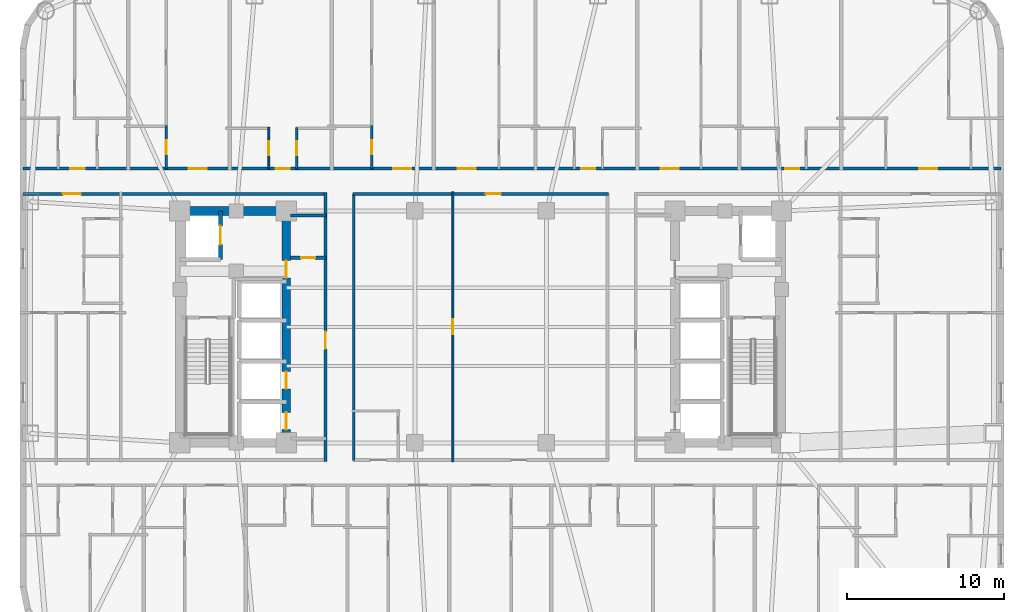
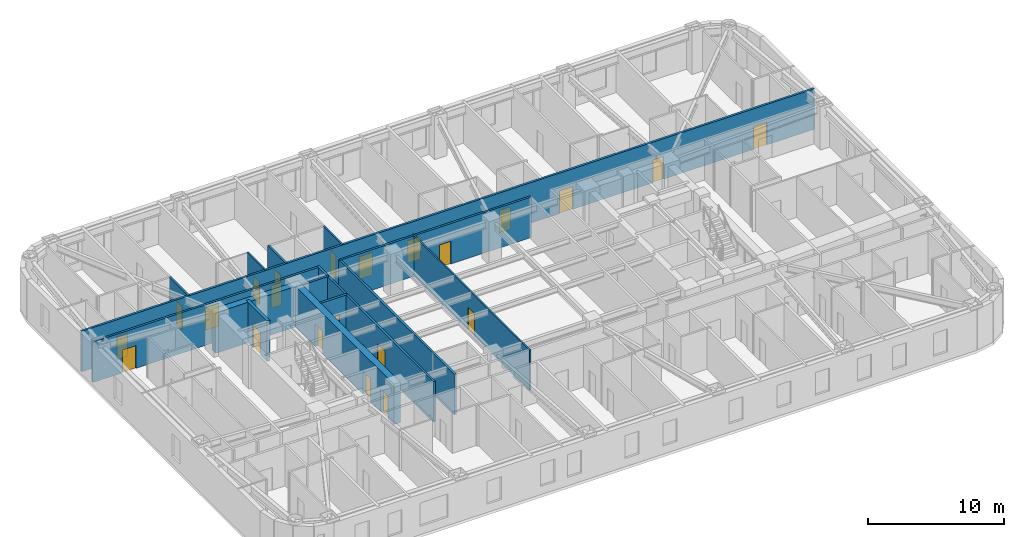
# One storey, part 6 of 12: 22 doors, 15 walls, 22 openings.
"""IFC4 building model written with IfcOpenShell, lengths in metres."""

from ifc_helpers import new_model, si_unit, direction, frame, frame_2d, origin, place, context, subcontext, project, spatial, rectangle, extrude, material, layer, layer_set, type_object, element, fill, save


model = new_model("IFC4")

# Units and contexts
model_context = context("Model", 3, precision=1e-05, world=origin(), true_north=direction((0.0, 1.0)))
body_context = subcontext(model_context, "Body", "Model", "MODEL_VIEW")
ifc_project = project(units=[si_unit("LENGTHUNIT", "METRE"), si_unit("AREAUNIT", "SQUARE_METRE"), si_unit("VOLUMEUNIT", "CUBIC_METRE"), si_unit("PLANEANGLEUNIT", "RADIAN"), si_unit("MASSUNIT", "GRAM", prefix="KILO")], contexts=[model_context])

# Site, building, storey
site_placement = place(None, origin())
site = spatial("IfcSite", under=ifc_project, at=site_placement, CompositionType="ELEMENT")
building_placement = place(site_placement, origin())
building = spatial("IfcBuilding", under=site, at=building_placement, Name="Voryun Gate Residences", CompositionType="ELEMENT")
storey_placement = place(building_placement, frame((0.0, 0.0, 128.699951171875)))
storey = spatial("IfcBuildingStorey", under=building, at=storey_placement, Name="L31", CompositionType="ELEMENT", Elevation=128.699951171875)

# Wall
ifc_material_1 = material(Name="Concrete C60/75", Category="concrete")
ifc_layer_1 = layer(ifc_material_1, 0.550048828125, Name="CW_CORE_550")
ifc_layer_set_1 = layer_set([ifc_layer_1], Name="Concrete C60/75")
wall_type_1 = type_object("IfcWallType", Name="CW_CORE_550", PredefinedType="SHEAR", material=ifc_layer_set_1)
wall_1_placement = place(storey_placement, frame((-19.47509765625, 7.39990234375, 0.0), z_axis=(0.0, 0.0, 1.0), x_axis=(1.0, 0.0, 0.0)))
element("IfcWall", 1, at=wall_1_placement, inside=storey, type_object=wall_type_1, Name="L31 Core shear wall CW-L31-WN", PredefinedType="SHEAR", context=body_context, shape_type="SweptSolid", body=[
    extrude(rectangle(XDim=7.35009765625, YDim=0.550048828125, at=frame_2d((3.675048828125, 0.0))), origin(), (0.0, 0.0, 1.0), 3.650146484375),
])

# Wall, openings, doors
wall_2_placement = place(storey_placement, frame((-12.39990234375, -7.39990234375, 0.0), z_axis=(0.0, 0.0, 1.0), x_axis=(0.0, 1.0, 0.0)))
wall_2 = element("IfcWall", 2, at=wall_2_placement, inside=storey, type_object=wall_type_1, Name="L31 Core shear wall CW-L31-WE", PredefinedType="SHEAR", context=body_context, shape_type="SweptSolid", body=[
    extrude(rectangle(XDim=14.7998046875, YDim=0.550048828125, at=frame_2d((7.39990234375, 0.0))), origin(), (0.0, 0.0, 1.0), 3.650146484375),
])
opening_1_placement = place(wall_2_placement, frame((0.85009765625, 0.0, 0.0)))
opening_1 = element("IfcOpeningElement", 3, at=opening_1_placement, cuts=wall_2, Name="Opening LD2", PredefinedType="OPENING", context=body_context, shape_type="SweptSolid", body=[
    extrude(rectangle(XDim=1.10009765625, YDim=2.050048828125, at=frame_2d((0.550048828125, 1.02490234375))), frame((0.0, 0.284912109375, 0.0), z_axis=(0.0, -1.0, 0.0), x_axis=(1.0, 0.0, 0.0)), (0.0, 0.0, 1.0), 0.570068359375),
])
opening_2_placement = place(wall_2_placement, frame((3.449951171875, 0.0, 0.0)))
opening_2 = element("IfcOpeningElement", 4, at=opening_2_placement, cuts=wall_2, Name="Opening LD2", PredefinedType="OPENING", context=body_context, shape_type="SweptSolid", body=[
    extrude(rectangle(XDim=1.10009765625, YDim=2.050048828125, at=frame_2d((0.550048828125, 1.02490234375))), frame((0.0, 0.284912109375, 0.0), z_axis=(0.0, -1.0, 0.0), x_axis=(1.0, 0.0, 0.0)), (0.0, 0.0, 1.0), 0.570068359375),
])
opening_3_placement = place(wall_2_placement, frame((10.530029296875, 0.0, 0.0)))
opening_3 = element("IfcOpeningElement", 5, at=opening_3_placement, cuts=wall_2, Name="Opening D-FD60-2", PredefinedType="OPENING", context=body_context, shape_type="SweptSolid", body=[
    extrude(rectangle(XDim=1.10009765625, YDim=2.050048828125, at=frame_2d((0.550048828125, 1.02490234375))), frame((0.0, 0.284912109375, 0.0), z_axis=(0.0, -1.0, 0.0), x_axis=(1.0, 0.0, 0.0)), (0.0, 0.0, 1.0), 0.570068359375),
])
ifc_material_2 = material(Name="Painted steel fire door", Category="steel")
door_type_1 = type_object("IfcDoorType", Name="DR_FD60_FFLOB_1100", OperationType="NOTDEFINED", PredefinedType="DOOR", material=ifc_material_2)
door_1_placement = place(opening_3_placement, origin())
door_1 = element("IfcDoor", 6, at=door_1_placement, inside=storey, type_object=door_type_1, Name="Door DR-L31-CLOB-W", OperationType="SINGLE_SWING_LEFT", OverallHeight=2.050048828125, OverallWidth=1.10009765625, PredefinedType="DOOR", context=body_context, shape_type="SweptSolid", body=[
    extrude(rectangle(XDim=1.10009765625, YDim=2.050048828125, at=frame_2d((0.550048828125, 1.02490234375))), frame((0.0, 0.02490234375, 0.0), z_axis=(0.0, -1.0, 0.0), x_axis=(1.0, 0.0, 0.0)), (0.0, 0.0, 1.0), 0.050048828125),
])
fill(opening_3, door_1)
ifc_material_3 = material(Name="Anodised aluminium", Category="aluminium")
door_type_2 = type_object("IfcDoorType", Name="DR_LD_PASS_1100", OperationType="NOTDEFINED", PredefinedType="DOOR", material=ifc_material_3)
door_2_placement = place(opening_1_placement, origin())
door_2 = element("IfcDoor", 7, at=door_2_placement, inside=storey, type_object=door_type_2, Name="Lift EL-P1 sliding landing door L31", OperationType="SLIDING_TO_LEFT", OverallHeight=2.050048828125, OverallWidth=1.10009765625, PredefinedType="DOOR", context=body_context, shape_type="SweptSolid", body=[
    extrude(rectangle(XDim=1.10009765625, YDim=2.050048828125, at=frame_2d((0.550048828125, 1.02490234375))), frame((0.0, 0.02490234375, 0.0), z_axis=(0.0, -1.0, 0.0), x_axis=(1.0, 0.0, 0.0)), (0.0, 0.0, 1.0), 0.050048828125),
])
fill(opening_1, door_2)
door_3_placement = place(opening_2_placement, origin())
door_3 = element("IfcDoor", 8, at=door_3_placement, inside=storey, type_object=door_type_2, Name="Lift EL-P2 sliding landing door L31", OperationType="SLIDING_TO_LEFT", OverallHeight=2.050048828125, OverallWidth=1.10009765625, PredefinedType="DOOR", context=body_context, shape_type="SweptSolid", body=[
    extrude(rectangle(XDim=1.10009765625, YDim=2.050048828125, at=frame_2d((0.550048828125, 1.02490234375))), frame((0.0, 0.02490234375, 0.0), z_axis=(0.0, -1.0, 0.0), x_axis=(1.0, 0.0, 0.0)), (0.0, 0.0, 1.0), 0.050048828125),
])
fill(opening_2, door_3)

# Wall
ifc_material_4 = material(Name="Gypsum acoustic fireboard")
ifc_layer_2 = layer(ifc_material_4, 0.179931640625, Name="W_CORR_RATED_180")
ifc_layer_set_2 = layer_set([ifc_layer_2], Name="Gypsum acoustic fireboard")
wall_type_2 = type_object("IfcWallType", Name="W_CORR_RATED_180", PredefinedType="PARTITIONING", material=ifc_layer_set_2)
wall_3_placement = place(storey_placement, frame((-12.14990234375, 7.1201171875, 0.0), z_axis=(0.0, 0.0, 1.0), x_axis=(1.0, 0.0, 0.0)))
element("IfcWall", 9, at=wall_3_placement, inside=storey, type_object=wall_type_2, Name="Partition wall WP-L31-PLBN-W", PredefinedType="PARTITIONING", context=body_context, shape_type="SweptSolid", body=[
    extrude(rectangle(XDim=2.27001953125, YDim=0.179931640625, at=frame_2d((1.135009765625, 0.0))), origin(), (0.0, 0.0, 1.0), 3.650146484375),
])

# Wall, opening, door
wall_4_placement = place(storey_placement, frame((-9.89990234375, -8.580078125, 0.0), z_axis=(0.0, 0.0, 1.0), x_axis=(0.0, 1.0, 0.0)))
wall_4 = element("IfcWall", 10, at=wall_4_placement, inside=storey, type_object=wall_type_2, Name="Partition wall WP-L31-PLBW-FULL", PredefinedType="PARTITIONING", context=body_context, shape_type="SweptSolid", body=[
    extrude(rectangle(XDim=17.16015625, YDim=0.179931640625, at=frame_2d((8.580078125, 0.0))), origin(), (0.0, 0.0, 1.0), 3.650146484375),
])
opening_4_placement = place(wall_4_placement, frame((7.172119140625, 0.0, 0.0)))
opening_4 = element("IfcOpeningElement", 11, at=opening_4_placement, cuts=wall_4, Name="Opening D-FD60-2", PredefinedType="OPENING", context=body_context, shape_type="SweptSolid", body=[
    extrude(rectangle(XDim=1.10009765625, YDim=2.050048828125, at=frame_2d((0.550048828125, 1.02490234375))), frame((0.0, 0.099853515625, 0.0), z_axis=(0.0, -1.0, 0.0), x_axis=(1.0, 0.0, 0.0)), (0.0, 0.0, 1.0), 0.199951171875),
])
door_4_placement = place(opening_4_placement, origin())
door_4 = element("IfcDoor", 12, at=door_4_placement, inside=storey, type_object=door_type_1, Name="Door DR-L31-PLBW-COR", OperationType="SINGLE_SWING_LEFT", OverallHeight=2.050048828125, OverallWidth=1.10009765625, PredefinedType="DOOR", context=body_context, shape_type="SweptSolid", body=[
    extrude(rectangle(XDim=1.10009765625, YDim=2.050048828125, at=frame_2d((0.550048828125, 1.02490234375))), frame((0.0, 0.02490234375, 0.0), z_axis=(0.0, -1.0, 0.0), x_axis=(1.0, 0.0, 0.0)), (0.0, 0.0, 1.0), 0.050048828125),
])
fill(opening_4, door_4)

wall_5_placement = place(storey_placement, frame((-29.2099609375, 8.489990234375, 0.0), z_axis=(0.0, 0.0, 1.0), x_axis=(1.0, 0.0, 0.0)))
wall_5 = element("IfcWall", 13, at=wall_5_placement, inside=storey, type_object=wall_type_2, Name="Partition wall WP-L31-CWING-WN", PredefinedType="PARTITIONING", context=body_context, shape_type="SweptSolid", body=[
    extrude(rectangle(XDim=19.330078125, YDim=0.179931640625, at=frame_2d((9.6650390625, 0.0))), origin(), (0.0, 0.0, 1.0), 3.650146484375),
])
opening_5_placement = place(wall_5_placement, frame((2.5390625, 0.0, 0.0)))
opening_5 = element("IfcOpeningElement", 14, at=opening_5_placement, cuts=wall_5, Name="Opening D-UNIT-1", PredefinedType="OPENING", context=body_context, shape_type="SweptSolid", body=[
    extrude(rectangle(XDim=1.14990234375, YDim=2.050048828125, at=frame_2d((0.574951171875, 1.02490234375))), frame((0.0, 0.099853515625, 0.0), z_axis=(0.0, -1.0, 0.0), x_axis=(1.0, 0.0, 0.0)), (0.0, 0.0, 1.0), 0.199951171875),
])
ifc_material_5 = material(Name="Armoured timber-clad fire door", Category="wood")
door_type_3 = type_object("IfcDoorType", Name="DR_UNIT_ENTRY_1150", OperationType="NOTDEFINED", PredefinedType="DOOR", material=ifc_material_5)
door_5_placement = place(opening_5_placement, origin())
door_5 = element("IfcDoor", 15, at=door_5_placement, inside=storey, type_object=door_type_3, Name="Door DR-L31-WE1N", OperationType="SINGLE_SWING_LEFT", OverallHeight=2.050048828125, OverallWidth=1.14990234375, PredefinedType="DOOR", context=body_context, shape_type="SweptSolid", body=[
    extrude(rectangle(XDim=1.14990234375, YDim=2.050048828125, at=frame_2d((0.574951171875, 1.02490234375))), frame((0.0, 0.02490234375, 0.0), z_axis=(0.0, -1.0, 0.0), x_axis=(1.0, 0.0, 0.0)), (0.0, 0.0, 1.0), 0.050048828125),
])
fill(opening_5, door_5)

wall_6_placement = place(storey_placement, frame((-8.14990234375, 8.489990234375, 0.0), z_axis=(0.0, 0.0, 1.0), x_axis=(1.0, 0.0, 0.0)))
wall_6 = element("IfcWall", 16, at=wall_6_placement, inside=storey, type_object=wall_type_2, Name="Partition wall WP-L31-Z1N", PredefinedType="PARTITIONING", context=body_context, shape_type="SweptSolid", body=[
    extrude(rectangle(XDim=16.2998046875, YDim=0.179931640625, at=frame_2d((8.14990234375, 0.0))), origin(), (0.0, 0.0, 1.0), 3.650146484375),
])
opening_6_placement = place(wall_6_placement, frame((8.489990234375, 0.0, 0.0)))
opening_6 = element("IfcOpeningElement", 17, at=opening_6_placement, cuts=wall_6, Name="Opening D-INT-1", PredefinedType="OPENING", context=body_context, shape_type="SweptSolid", body=[
    extrude(rectangle(XDim=0.949951171875, YDim=2.050048828125, at=frame_2d((0.47509765625, 1.02490234375))), frame((0.0, 0.099853515625, 0.0), z_axis=(0.0, -1.0, 0.0), x_axis=(1.0, 0.0, 0.0)), (0.0, 0.0, 1.0), 0.199951171875),
])
ifc_material_6 = material(Name="Architectural oak veneer")
door_type_4 = type_object("IfcDoorType", Name="DR_INT_ROOM_950", OperationType="NOTDEFINED", PredefinedType="DOOR", material=ifc_material_6)
door_6_placement = place(opening_6_placement, origin())
door_6 = element("IfcDoor", 18, at=door_6_placement, inside=storey, type_object=door_type_4, Name="Door DR-L31-CMIDZ1N", OperationType="SINGLE_SWING_LEFT", OverallHeight=2.050048828125, OverallWidth=0.949951171875, PredefinedType="DOOR", context=body_context, shape_type="SweptSolid", body=[
    extrude(rectangle(XDim=0.949951171875, YDim=2.050048828125, at=frame_2d((0.47509765625, 1.02490234375))), frame((0.0, 0.02490234375, 0.0), z_axis=(0.0, -1.0, 0.0), x_axis=(1.0, 0.0, 0.0)), (0.0, 0.0, 1.0), 0.050048828125),
])
fill(opening_6, door_6)

# Wall
wall_7_placement = place(storey_placement, frame((-8.10009765625, -8.530029296875, 0.0), z_axis=(0.0, 0.0, 1.0), x_axis=(0.0, 1.0, 0.0)))
element("IfcWall", 19, at=wall_7_placement, inside=storey, type_object=wall_type_2, Name="Partition wall WP-L31-Z1W", PredefinedType="PARTITIONING", context=body_context, shape_type="SweptSolid", body=[
    extrude(rectangle(XDim=17.06005859375, YDim=0.179931640625, at=frame_2d((8.530029296875, 0.0))), origin(), (0.0, 0.0, 1.0), 3.650146484375),
])

# Wall, openings, doors
wall_8_placement = place(storey_placement, frame((-29.2099609375, 10.10009765625, 0.0), z_axis=(0.0, 0.0, 1.0), x_axis=(1.0, 0.0, 0.0)))
wall_8 = element("IfcWall", 20, at=wall_8_placement, inside=storey, type_object=wall_type_2, Name="Partition wall WP-L31-NCORR", PredefinedType="PARTITIONING", context=body_context, shape_type="SweptSolid", body=[
    extrude(rectangle(XDim=62.419921875, YDim=0.179931640625, at=frame_2d((31.2099609375, 0.0))), origin(), (0.0, 0.0, 1.0), 3.650146484375),
])
opening_7_placement = place(wall_8_placement, frame((3.032958984375, 0.0, 0.0)))
opening_7 = element("IfcOpeningElement", 21, at=opening_7_placement, cuts=wall_8, Name="Opening D-INT-2", PredefinedType="OPENING", context=body_context, shape_type="SweptSolid", body=[
    extrude(rectangle(XDim=0.89990234375, YDim=2.050048828125, at=frame_2d((0.449951171875, 1.02490234375))), frame((0.0, 0.099853515625, 0.0), z_axis=(0.0, -1.0, 0.0), x_axis=(1.0, 0.0, 0.0)), (0.0, 0.0, 1.0), 0.199951171875),
])
opening_8_placement = place(wall_8_placement, frame((10.5732421875, 0.0, 0.0)))
opening_8 = element("IfcOpeningElement", 22, at=opening_8_placement, cuts=wall_8, Name="Opening D-UNIT-1", PredefinedType="OPENING", context=body_context, shape_type="SweptSolid", body=[
    extrude(rectangle(XDim=1.14990234375, YDim=2.050048828125, at=frame_2d((0.574951171875, 1.02490234375))), frame((0.0, 0.099853515625, 0.0), z_axis=(0.0, -1.0, 0.0), x_axis=(1.0, 0.0, 0.0)), (0.0, 0.0, 1.0), 0.199951171875),
])
opening_9_placement = place(wall_8_placement, frame((16.135009765625, 0.0, 0.0)))
opening_9 = element("IfcOpeningElement", 23, at=opening_9_placement, cuts=wall_8, Name="Opening D-INT-2", PredefinedType="OPENING", context=body_context, shape_type="SweptSolid", body=[
    extrude(rectangle(XDim=0.89990234375, YDim=2.050048828125, at=frame_2d((0.449951171875, 1.02490234375))), frame((0.0, 0.099853515625, 0.0), z_axis=(0.0, -1.0, 0.0), x_axis=(1.0, 0.0, 0.0)), (0.0, 0.0, 1.0), 0.199951171875),
])
opening_10_placement = place(wall_8_placement, frame((23.631591796875, 0.0, 0.0)))
opening_10 = element("IfcOpeningElement", 24, at=opening_10_placement, cuts=wall_8, Name="Opening D-UNIT-1", PredefinedType="OPENING", context=body_context, shape_type="SweptSolid", body=[
    extrude(rectangle(XDim=1.14990234375, YDim=2.050048828125, at=frame_2d((0.574951171875, 1.02490234375))), frame((0.0, 0.099853515625, 0.0), z_axis=(0.0, -1.0, 0.0), x_axis=(1.0, 0.0, 0.0)), (0.0, 0.0, 1.0), 0.199951171875),
])
opening_11_placement = place(wall_8_placement, frame((27.751220703125, 0.0, 0.0)))
opening_11 = element("IfcOpeningElement", 25, at=opening_11_placement, cuts=wall_8, Name="Opening D-UNIT-1", PredefinedType="OPENING", context=body_context, shape_type="SweptSolid", body=[
    extrude(rectangle(XDim=1.14990234375, YDim=2.050048828125, at=frame_2d((0.574951171875, 1.02490234375))), frame((0.0, 0.099853515625, 0.0), z_axis=(0.0, -1.0, 0.0), x_axis=(1.0, 0.0, 0.0)), (0.0, 0.0, 1.0), 0.199951171875),
])
opening_12_placement = place(wall_8_placement, frame((35.635009765625, 0.0, 0.0)))
opening_12 = element("IfcOpeningElement", 26, at=opening_12_placement, cuts=wall_8, Name="Opening D-INT-2", PredefinedType="OPENING", context=body_context, shape_type="SweptSolid", body=[
    extrude(rectangle(XDim=0.89990234375, YDim=2.050048828125, at=frame_2d((0.449951171875, 1.02490234375))), frame((0.0, 0.099853515625, 0.0), z_axis=(0.0, -1.0, 0.0), x_axis=(1.0, 0.0, 0.0)), (0.0, 0.0, 1.0), 0.199951171875),
])
opening_13_placement = place(wall_8_placement, frame((40.697021484375, 0.0, 0.0)))
opening_13 = element("IfcOpeningElement", 27, at=opening_13_placement, cuts=wall_8, Name="Opening D-UNIT-1", PredefinedType="OPENING", context=body_context, shape_type="SweptSolid", body=[
    extrude(rectangle(XDim=1.14990234375, YDim=2.050048828125, at=frame_2d((0.574951171875, 1.02490234375))), frame((0.0, 0.099853515625, 0.0), z_axis=(0.0, -1.0, 0.0), x_axis=(1.0, 0.0, 0.0)), (0.0, 0.0, 1.0), 0.199951171875),
])
opening_14_placement = place(wall_8_placement, frame((48.63720703125, 0.0, 0.0)))
opening_14 = element("IfcOpeningElement", 28, at=opening_14_placement, cuts=wall_8, Name="Opening D-INT-2", PredefinedType="OPENING", context=body_context, shape_type="SweptSolid", body=[
    extrude(rectangle(XDim=0.89990234375, YDim=2.050048828125, at=frame_2d((0.449951171875, 1.02490234375))), frame((0.0, 0.099853515625, 0.0), z_axis=(0.0, -1.0, 0.0), x_axis=(1.0, 0.0, 0.0)), (0.0, 0.0, 1.0), 0.199951171875),
])
opening_15_placement = place(wall_8_placement, frame((57.21337890625, 0.0, 0.0)))
opening_15 = element("IfcOpeningElement", 29, at=opening_15_placement, cuts=wall_8, Name="Opening D-UNIT-1", PredefinedType="OPENING", context=body_context, shape_type="SweptSolid", body=[
    extrude(rectangle(XDim=1.14990234375, YDim=2.050048828125, at=frame_2d((0.574951171875, 1.02490234375))), frame((0.0, 0.099853515625, 0.0), z_axis=(0.0, -1.0, 0.0), x_axis=(1.0, 0.0, 0.0)), (0.0, 0.0, 1.0), 0.199951171875),
])
ifc_material_7 = material(Name="Architectural oak veneer")
door_type_5 = type_object("IfcDoorType", Name="DR_INT_BATH_900", OperationType="NOTDEFINED", PredefinedType="DOOR", material=ifc_material_7)
door_7_placement = place(opening_7_placement, origin())
door_7 = element("IfcDoor", 30, at=door_7_placement, inside=storey, type_object=door_type_5, Name="Door DR-L31-NENT-1", OperationType="SINGLE_SWING_LEFT", OverallHeight=2.050048828125, OverallWidth=0.89990234375, PredefinedType="DOOR", context=body_context, shape_type="SweptSolid", body=[
    extrude(rectangle(XDim=0.89990234375, YDim=2.050048828125, at=frame_2d((0.449951171875, 1.02490234375))), frame((0.0, 0.02490234375, 0.0), z_axis=(0.0, -1.0, 0.0), x_axis=(1.0, 0.0, 0.0)), (0.0, 0.0, 1.0), 0.050048828125),
])
fill(opening_7, door_7)
door_8_placement = place(opening_9_placement, origin())
door_8 = element("IfcDoor", 31, at=door_8_placement, inside=storey, type_object=door_type_5, Name="Door DR-L31-NENT-3", OperationType="SINGLE_SWING_LEFT", OverallHeight=2.050048828125, OverallWidth=0.89990234375, PredefinedType="DOOR", context=body_context, shape_type="SweptSolid", body=[
    extrude(rectangle(XDim=0.89990234375, YDim=2.050048828125, at=frame_2d((0.449951171875, 1.02490234375))), frame((0.0, 0.02490234375, 0.0), z_axis=(0.0, -1.0, 0.0), x_axis=(1.0, 0.0, 0.0)), (0.0, 0.0, 1.0), 0.050048828125),
])
fill(opening_9, door_8)
door_9_placement = place(opening_12_placement, origin())
door_9 = element("IfcDoor", 32, at=door_9_placement, inside=storey, type_object=door_type_5, Name="Door DR-L31-NENT-6", OperationType="SINGLE_SWING_RIGHT", OverallHeight=2.050048828125, OverallWidth=0.89990234375, PredefinedType="DOOR", context=body_context, shape_type="SweptSolid", body=[
    extrude(rectangle(XDim=0.89990234375, YDim=2.050048828125, at=frame_2d((0.449951171875, 1.02490234375))), frame((0.0, 0.02490234375, 0.0), z_axis=(0.0, -1.0, 0.0), x_axis=(1.0, 0.0, 0.0)), (0.0, 0.0, 1.0), 0.050048828125),
])
fill(opening_12, door_9)
door_10_placement = place(opening_14_placement, origin())
door_10 = element("IfcDoor", 33, at=door_10_placement, inside=storey, type_object=door_type_5, Name="Door DR-L31-NENT-8", OperationType="SINGLE_SWING_RIGHT", OverallHeight=2.050048828125, OverallWidth=0.89990234375, PredefinedType="DOOR", context=body_context, shape_type="SweptSolid", body=[
    extrude(rectangle(XDim=0.89990234375, YDim=2.050048828125, at=frame_2d((0.449951171875, 1.02490234375))), frame((0.0, 0.02490234375, 0.0), z_axis=(0.0, -1.0, 0.0), x_axis=(1.0, 0.0, 0.0)), (0.0, 0.0, 1.0), 0.050048828125),
])
fill(opening_14, door_10)
door_11_placement = place(opening_8_placement, origin())
door_11 = element("IfcDoor", 34, at=door_11_placement, inside=storey, type_object=door_type_3, Name="Door DR-L31-NENT-2", OperationType="SINGLE_SWING_RIGHT", OverallHeight=2.050048828125, OverallWidth=1.14990234375, PredefinedType="DOOR", context=body_context, shape_type="SweptSolid", body=[
    extrude(rectangle(XDim=1.14990234375, YDim=2.050048828125, at=frame_2d((0.574951171875, 1.02490234375))), frame((0.0, 0.02490234375, 0.0), z_axis=(0.0, -1.0, 0.0), x_axis=(1.0, 0.0, 0.0)), (0.0, 0.0, 1.0), 0.050048828125),
])
fill(opening_8, door_11)
door_12_placement = place(opening_10_placement, origin())
door_12 = element("IfcDoor", 35, at=door_12_placement, inside=storey, type_object=door_type_3, Name="Door DR-L31-NENT-4", OperationType="SINGLE_SWING_RIGHT", OverallHeight=2.050048828125, OverallWidth=1.14990234375, PredefinedType="DOOR", context=body_context, shape_type="SweptSolid", body=[
    extrude(rectangle(XDim=1.14990234375, YDim=2.050048828125, at=frame_2d((0.574951171875, 1.02490234375))), frame((0.0, 0.02490234375, 0.0), z_axis=(0.0, -1.0, 0.0), x_axis=(1.0, 0.0, 0.0)), (0.0, 0.0, 1.0), 0.050048828125),
])
fill(opening_10, door_12)
door_13_placement = place(opening_11_placement, origin())
door_13 = element("IfcDoor", 36, at=door_13_placement, inside=storey, type_object=door_type_3, Name="Door DR-L31-NENT-5", OperationType="SINGLE_SWING_LEFT", OverallHeight=2.050048828125, OverallWidth=1.14990234375, PredefinedType="DOOR", context=body_context, shape_type="SweptSolid", body=[
    extrude(rectangle(XDim=1.14990234375, YDim=2.050048828125, at=frame_2d((0.574951171875, 1.02490234375))), frame((0.0, 0.02490234375, 0.0), z_axis=(0.0, -1.0, 0.0), x_axis=(1.0, 0.0, 0.0)), (0.0, 0.0, 1.0), 0.050048828125),
])
fill(opening_11, door_13)
door_14_placement = place(opening_13_placement, origin())
door_14 = element("IfcDoor", 37, at=door_14_placement, inside=storey, type_object=door_type_3, Name="Door DR-L31-NENT-7", OperationType="SINGLE_SWING_LEFT", OverallHeight=2.050048828125, OverallWidth=1.14990234375, PredefinedType="DOOR", context=body_context, shape_type="SweptSolid", body=[
    extrude(rectangle(XDim=1.14990234375, YDim=2.050048828125, at=frame_2d((0.574951171875, 1.02490234375))), frame((0.0, 0.02490234375, 0.0), z_axis=(0.0, -1.0, 0.0), x_axis=(1.0, 0.0, 0.0)), (0.0, 0.0, 1.0), 0.050048828125),
])
fill(opening_13, door_14)
door_15_placement = place(opening_15_placement, origin())
door_15 = element("IfcDoor", 38, at=door_15_placement, inside=storey, type_object=door_type_3, Name="Door DR-L31-NENT-9", OperationType="SINGLE_SWING_LEFT", OverallHeight=2.050048828125, OverallWidth=1.14990234375, PredefinedType="DOOR", context=body_context, shape_type="SweptSolid", body=[
    extrude(rectangle(XDim=1.14990234375, YDim=2.050048828125, at=frame_2d((0.574951171875, 1.02490234375))), frame((0.0, 0.02490234375, 0.0), z_axis=(0.0, -1.0, 0.0), x_axis=(1.0, 0.0, 0.0)), (0.0, 0.0, 1.0), 0.050048828125),
])
fill(opening_15, door_15)

# Wall, opening, door
ifc_material_8 = material(Name="Concrete C40/50", Category="concrete")
ifc_layer_3 = layer(ifc_material_8, 0.199951171875, Name="W_FF_LOBBY_200")
ifc_layer_set_3 = layer_set([ifc_layer_3], Name="Concrete C40/50")
wall_type_3 = type_object("IfcWallType", Name="W_FF_LOBBY_200", PredefinedType="PARTITIONING", material=ifc_layer_set_3)
wall_9_placement = place(storey_placement, frame((-12.14990234375, 4.409912109375, 0.0), z_axis=(0.0, 0.0, 1.0), x_axis=(1.0, 0.0, 0.0)))
wall_9 = element("IfcWall", 39, at=wall_9_placement, inside=storey, type_object=wall_type_3, Name="Partition wall WP-L31-CSFLKS-W", PredefinedType="PARTITIONING", context=body_context, shape_type="SweptSolid", body=[
    extrude(rectangle(XDim=2.27001953125, YDim=0.199951171875, at=frame_2d((1.135009765625, 0.0))), origin(), (0.0, 0.0, 1.0), 3.650146484375),
])
opening_16_placement = place(wall_9_placement, frame((0.68505859375, 0.0, 0.0)))
opening_16 = element("IfcOpeningElement", 40, at=opening_16_placement, cuts=wall_9, Name="Opening D-FD60-4", PredefinedType="OPENING", context=body_context, shape_type="SweptSolid", body=[
    extrude(rectangle(XDim=0.89990234375, YDim=2.050048828125, at=frame_2d((0.449951171875, 1.02490234375))), frame((0.0, 0.110107421875, 0.0), z_axis=(0.0, -1.0, 0.0), x_axis=(1.0, 0.0, 0.0)), (0.0, 0.0, 1.0), 0.219970703125),
])
ifc_material_9 = material(Name="Painted steel fire door", Category="steel")
door_type_6 = type_object("IfcDoorType", Name="DR_FD60_RISER_900", OperationType="NOTDEFINED", PredefinedType="DOOR", material=ifc_material_9)
door_16_placement = place(opening_16_placement, origin())
door_16 = element("IfcDoor", 41, at=door_16_placement, inside=storey, type_object=door_type_6, Name="Door DR-L31-CSFLK-W", OperationType="SINGLE_SWING_LEFT", OverallHeight=2.050048828125, OverallWidth=0.89990234375, PredefinedType="DOOR", context=body_context, shape_type="SweptSolid", body=[
    extrude(rectangle(XDim=0.89990234375, YDim=2.050048828125, at=frame_2d((0.449951171875, 1.02490234375))), frame((0.0, 0.02490234375, 0.0), z_axis=(0.0, -1.0, 0.0), x_axis=(1.0, 0.0, 0.0)), (0.0, 0.0, 1.0), 0.050048828125),
])
fill(opening_16, door_16)

ifc_material_10 = material(Name="Concrete C50/60", Category="concrete")
ifc_layer_4 = layer(ifc_material_10, 0.25, Name="W_SHAFT_RC250")
ifc_layer_set_4 = layer_set([ifc_layer_4], Name="Concrete C50/60")
wall_type_4 = type_object("IfcWallType", Name="W_SHAFT_RC250", PredefinedType="SOLIDWALL", material=ifc_layer_set_4)
wall_10_placement = place(storey_placement, frame((-16.60009765625, 4.300048828125, 0.0), z_axis=(0.0, 0.0, 1.0), x_axis=(0.0, 1.0, 0.0)))
wall_10 = element("IfcWall", 42, at=wall_10_placement, inside=storey, type_object=wall_type_4, Name="Lift shaft wall WSH-L31-EL-FF-W1-E", PredefinedType="SOLIDWALL", context=body_context, shape_type="SweptSolid", body=[
    extrude(rectangle(XDim=3.099853515625, YDim=0.25, at=frame_2d((1.5498046875, 0.0))), origin(), (0.0, 0.0, 1.0), 3.650146484375),
])
opening_17_placement = place(wall_10_placement, frame((0.949951171875, 0.0, 0.0)))
opening_17 = element("IfcOpeningElement", 43, at=opening_17_placement, cuts=wall_10, Name="Opening LD1", PredefinedType="OPENING", context=body_context, shape_type="SweptSolid", body=[
    extrude(rectangle(XDim=1.199951171875, YDim=2.050048828125, at=frame_2d((0.60009765625, 1.02490234375))), frame((0.0, 0.135009765625, 0.0), z_axis=(0.0, -1.0, 0.0), x_axis=(1.0, 0.0, 0.0)), (0.0, 0.0, 1.0), 0.27001953125),
])
ifc_material_11 = material(Name="Anodised aluminium", Category="aluminium")
door_type_7 = type_object("IfcDoorType", Name="DR_LD_FF_1200", OperationType="NOTDEFINED", PredefinedType="DOOR", material=ifc_material_11)
door_17_placement = place(opening_17_placement, origin())
door_17 = element("IfcDoor", 44, at=door_17_placement, inside=storey, type_object=door_type_7, Name="Lift EL-FF-W1 sliding landing door L31", OperationType="SLIDING_TO_LEFT", OverallHeight=2.050048828125, OverallWidth=1.199951171875, PredefinedType="DOOR", context=body_context, shape_type="SweptSolid", body=[
    extrude(rectangle(XDim=1.199951171875, YDim=2.050048828125, at=frame_2d((0.60009765625, 1.02490234375))), frame((0.0, 0.02490234375, 0.0), z_axis=(0.0, -1.0, 0.0), x_axis=(1.0, 0.0, 0.0)), (0.0, 0.0, 1.0), 0.050048828125),
])
fill(opening_17, door_17)

ifc_material_12 = material(Name="Gypsum acoustic partition")
ifc_layer_5 = layer(ifc_material_12, 0.125, Name="W_UNIT_PART_125")
ifc_layer_set_5 = layer_set([ifc_layer_5], Name="Gypsum acoustic partition")
wall_type_5 = type_object("IfcWallType", Name="W_UNIT_PART_125", PredefinedType="PARTITIONING", material=ifc_layer_set_5)
wall_11_placement = place(storey_placement, frame((-1.77294921875, -8.6201171875, 0.0), z_axis=(0.0, 0.0, 1.0), x_axis=(0.0, 1.0, 0.0)))
wall_11 = element("IfcWall", 45, at=wall_11_placement, inside=storey, type_object=wall_type_5, Name="Partition wall WP-L31-MIDX-0", PredefinedType="PARTITIONING", context=body_context, shape_type="SweptSolid", body=[
    extrude(rectangle(XDim=17.240234375, YDim=0.125, at=frame_2d((8.6201171875, 0.0))), origin(), (0.0, 0.0, 1.0), 3.650146484375),
])
opening_18_placement = place(wall_11_placement, frame((8.14501953125, 0.0, 0.0)))
opening_18 = element("IfcOpeningElement", 46, at=opening_18_placement, cuts=wall_11, Name="Opening D-INT-1", PredefinedType="OPENING", context=body_context, shape_type="SweptSolid", body=[
    extrude(rectangle(XDim=0.949951171875, YDim=2.050048828125, at=frame_2d((0.47509765625, 1.02490234375))), frame((0.0, 0.072509765625, 0.0), z_axis=(0.0, -1.0, 0.0), x_axis=(1.0, 0.0, 0.0)), (0.0, 0.0, 1.0), 0.14501953125),
])
door_18_placement = place(opening_18_placement, origin())
door_18 = element("IfcDoor", 47, at=door_18_placement, inside=storey, type_object=door_type_4, Name="Door DR-L31-MIDX-0", OperationType="SINGLE_SWING_LEFT", OverallHeight=2.050048828125, OverallWidth=0.949951171875, PredefinedType="DOOR", context=body_context, shape_type="SweptSolid", body=[
    extrude(rectangle(XDim=0.949951171875, YDim=2.050048828125, at=frame_2d((0.47509765625, 1.02490234375))), frame((0.0, 0.02490234375, 0.0), z_axis=(0.0, -1.0, 0.0), x_axis=(1.0, 0.0, 0.0)), (0.0, 0.0, 1.0), 0.050048828125),
])
fill(opening_18, door_18)

wall_12_placement = place(storey_placement, frame((-13.51611328125, 10.080078125, 0.0), z_axis=(0.0, 0.0, 1.0), x_axis=(0.0, 1.0, 0.0)))
wall_12 = element("IfcWall", 48, at=wall_12_placement, inside=storey, type_object=wall_type_5, Name="Partition wall WP-L31-N3-CVK", PredefinedType="PARTITIONING", context=body_context, shape_type="SweptSolid", body=[
    extrude(rectangle(XDim=2.64990234375, YDim=0.125, at=frame_2d((1.324951171875, 0.0))), origin(), (0.0, 0.0, 1.0), 3.650146484375),
])
opening_19_placement = place(wall_12_placement, frame((0.875, 0.0, 0.0)))
opening_19 = element("IfcOpeningElement", 49, at=opening_19_placement, cuts=wall_12, Name="Opening D-INT-2", PredefinedType="OPENING", context=body_context, shape_type="SweptSolid", body=[
    extrude(rectangle(XDim=0.89990234375, YDim=2.050048828125, at=frame_2d((0.449951171875, 1.02490234375))), frame((0.0, 0.072509765625, 0.0), z_axis=(0.0, -1.0, 0.0), x_axis=(1.0, 0.0, 0.0)), (0.0, 0.0, 1.0), 0.14501953125),
])
door_19_placement = place(opening_19_placement, origin())
door_19 = element("IfcDoor", 50, at=door_19_placement, inside=storey, type_object=door_type_5, Name="Door DR-L31-N3-DK", OperationType="SINGLE_SWING_LEFT", OverallHeight=2.050048828125, OverallWidth=0.89990234375, PredefinedType="DOOR", context=body_context, shape_type="SweptSolid", body=[
    extrude(rectangle(XDim=0.89990234375, YDim=2.050048828125, at=frame_2d((0.449951171875, 1.02490234375))), frame((0.0, 0.02490234375, 0.0), z_axis=(0.0, -1.0, 0.0), x_axis=(1.0, 0.0, 0.0)), (0.0, 0.0, 1.0), 0.050048828125),
])
fill(opening_19, door_19)

ifc_material_13 = material(Name="Gypsum moisture-resistant partition")
ifc_layer_6 = layer(ifc_material_13, 0.14990234375, Name="W_WET_PLUMB_150")
ifc_layer_set_6 = layer_set([ifc_layer_6], Name="Gypsum moisture-resistant partition")
wall_type_6 = type_object("IfcWallType", Name="W_WET_PLUMB_150", PredefinedType="PLUMBINGWALL", material=ifc_layer_set_6)
wall_13_placement = place(storey_placement, frame((-20.06005859375, 10.080078125, 0.0), z_axis=(0.0, 0.0, 1.0), x_axis=(0.0, 1.0, 0.0)))
wall_13 = element("IfcWall", 51, at=wall_13_placement, inside=storey, type_object=wall_type_6, Name="Partition wall WP-L31-N2-SVT1", PredefinedType="PLUMBINGWALL", context=body_context, shape_type="SweptSolid", body=[
    extrude(rectangle(XDim=2.760009765625, YDim=0.14990234375, at=frame_2d((1.3798828125, 0.0))), origin(), (0.0, 0.0, 1.0), 3.650146484375),
])
opening_20_placement = place(wall_13_placement, frame((0.929931640625, 0.0, 0.0)))
opening_20 = element("IfcOpeningElement", 52, at=opening_20_placement, cuts=wall_13, Name="Opening D-INT-2", PredefinedType="OPENING", context=body_context, shape_type="SweptSolid", body=[
    extrude(rectangle(XDim=0.89990234375, YDim=2.050048828125, at=frame_2d((0.449951171875, 1.02490234375))), frame((0.0, 0.0849609375, 0.0), z_axis=(0.0, -1.0, 0.0), x_axis=(1.0, 0.0, 0.0)), (0.0, 0.0, 1.0), 0.169921875),
])
door_20_placement = place(opening_20_placement, origin())
door_20 = element("IfcDoor", 53, at=door_20_placement, inside=storey, type_object=door_type_5, Name="Door DR-L31-N2-DB", OperationType="SINGLE_SWING_LEFT", OverallHeight=2.050048828125, OverallWidth=0.89990234375, PredefinedType="DOOR", context=body_context, shape_type="SweptSolid", body=[
    extrude(rectangle(XDim=0.89990234375, YDim=2.050048828125, at=frame_2d((0.449951171875, 1.02490234375))), frame((0.0, 0.02490234375, 0.0), z_axis=(0.0, -1.0, 0.0), x_axis=(1.0, 0.0, 0.0)), (0.0, 0.0, 1.0), 0.050048828125),
])
fill(opening_20, door_20)

wall_14_placement = place(storey_placement, frame((-11.72900390625, 10.080078125, 0.0), z_axis=(0.0, 0.0, 1.0), x_axis=(0.0, 1.0, 0.0)))
wall_14 = element("IfcWall", 54, at=wall_14_placement, inside=storey, type_object=wall_type_6, Name="Partition wall WP-L31-N3-CVB", PredefinedType="PLUMBINGWALL", context=body_context, shape_type="SweptSolid", body=[
    extrude(rectangle(XDim=2.64990234375, YDim=0.14990234375, at=frame_2d((1.324951171875, 0.0))), origin(), (0.0, 0.0, 1.0), 3.650146484375),
])
opening_21_placement = place(wall_14_placement, frame((0.875, 0.0, 0.0)))
opening_21 = element("IfcOpeningElement", 55, at=opening_21_placement, cuts=wall_14, Name="Opening D-INT-2", PredefinedType="OPENING", context=body_context, shape_type="SweptSolid", body=[
    extrude(rectangle(XDim=0.89990234375, YDim=2.050048828125, at=frame_2d((0.449951171875, 1.02490234375))), frame((0.0, 0.0849609375, 0.0), z_axis=(0.0, -1.0, 0.0), x_axis=(1.0, 0.0, 0.0)), (0.0, 0.0, 1.0), 0.169921875),
])
door_21_placement = place(opening_21_placement, origin())
door_21 = element("IfcDoor", 56, at=door_21_placement, inside=storey, type_object=door_type_5, Name="Door DR-L31-N3-DB", OperationType="SINGLE_SWING_RIGHT", OverallHeight=2.050048828125, OverallWidth=0.89990234375, PredefinedType="DOOR", context=body_context, shape_type="SweptSolid", body=[
    extrude(rectangle(XDim=0.89990234375, YDim=2.050048828125, at=frame_2d((0.449951171875, 1.02490234375))), frame((0.0, 0.02490234375, 0.0), z_axis=(0.0, -1.0, 0.0), x_axis=(1.0, 0.0, 0.0)), (0.0, 0.0, 1.0), 0.050048828125),
])
fill(opening_21, door_21)

wall_15_placement = place(storey_placement, frame((-6.951904296875, 10.080078125, 0.0), z_axis=(0.0, 0.0, 1.0), x_axis=(0.0, 1.0, 0.0)))
wall_15 = element("IfcWall", 57, at=wall_15_placement, inside=storey, type_object=wall_type_6, Name="Partition wall WP-L31-N4-SVT1", PredefinedType="PLUMBINGWALL", context=body_context, shape_type="SweptSolid", body=[
    extrude(rectangle(XDim=2.760009765625, YDim=0.14990234375, at=frame_2d((1.3798828125, 0.0))), origin(), (0.0, 0.0, 1.0), 3.650146484375),
])
opening_22_placement = place(wall_15_placement, frame((0.929931640625, 0.0, 0.0)))
opening_22 = element("IfcOpeningElement", 58, at=opening_22_placement, cuts=wall_15, Name="Opening D-INT-2", PredefinedType="OPENING", context=body_context, shape_type="SweptSolid", body=[
    extrude(rectangle(XDim=0.89990234375, YDim=2.050048828125, at=frame_2d((0.449951171875, 1.02490234375))), frame((0.0, 0.0849609375, 0.0), z_axis=(0.0, -1.0, 0.0), x_axis=(1.0, 0.0, 0.0)), (0.0, 0.0, 1.0), 0.169921875),
])
door_22_placement = place(opening_22_placement, origin())
door_22 = element("IfcDoor", 59, at=door_22_placement, inside=storey, type_object=door_type_5, Name="Door DR-L31-N4-DB", OperationType="SINGLE_SWING_LEFT", OverallHeight=2.050048828125, OverallWidth=0.89990234375, PredefinedType="DOOR", context=body_context, shape_type="SweptSolid", body=[
    extrude(rectangle(XDim=0.89990234375, YDim=2.050048828125, at=frame_2d((0.449951171875, 1.02490234375))), frame((0.0, 0.02490234375, 0.0), z_axis=(0.0, -1.0, 0.0), x_axis=(1.0, 0.0, 0.0)), (0.0, 0.0, 1.0), 0.050048828125),
])
fill(opening_22, door_22)

save(model, "model.ifc")
